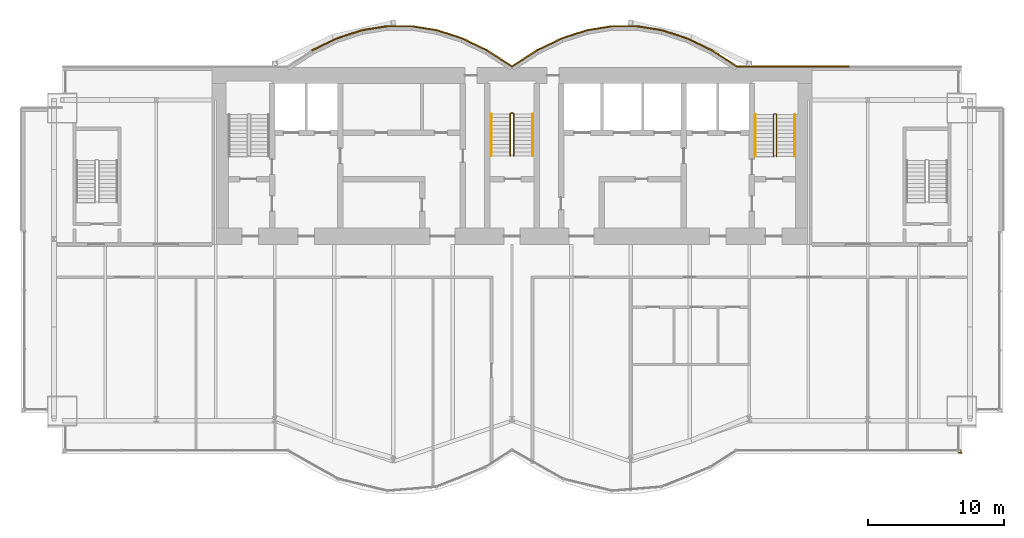
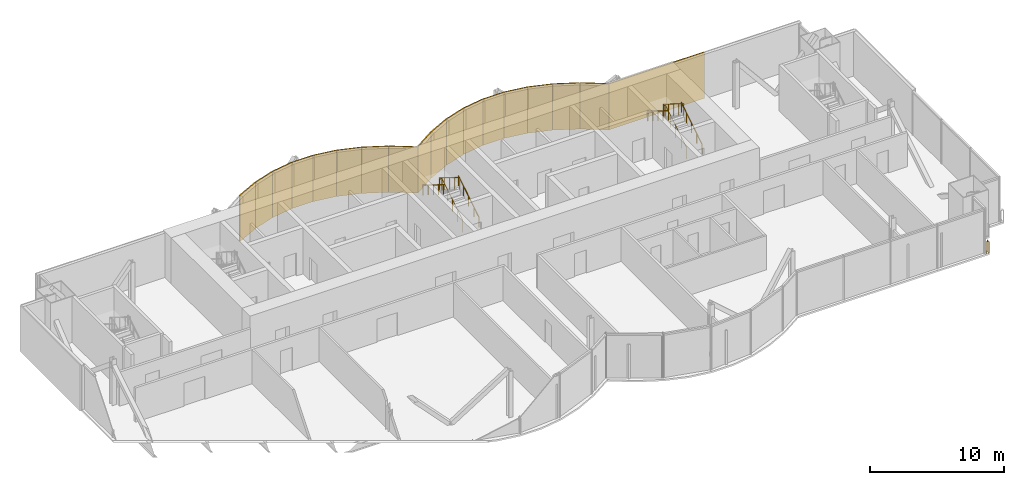
# One storey, part 18 of 19: 18 coverings, 7 railings.
"""IFC4 building model written with IfcOpenShell, lengths in metres."""

from ifc_helpers import new_model, si_unit, direction, frame, origin, origin_2d, place, context, subcontext, project, spatial, rectangle, circle, extrude, material, layer, layer_set, type_object, element, save


model = new_model("IFC4")

# Units and contexts
model_context = context("Model", 3, precision=1e-05, world=origin(), true_north=direction((0.0, 1.0)))
body_context = subcontext(model_context, "Body", "Model", "MODEL_VIEW")
ifc_project = project(units=[si_unit("LENGTHUNIT", "METRE"), si_unit("AREAUNIT", "SQUARE_METRE"), si_unit("VOLUMEUNIT", "CUBIC_METRE"), si_unit("PLANEANGLEUNIT", "RADIAN"), si_unit("MASSUNIT", "GRAM", prefix="KILO")], contexts=[model_context])

# Site, building, storey
site_placement = place(None, origin())
site = spatial("IfcSite", under=ifc_project, at=site_placement, CompositionType="ELEMENT")
building_placement = place(site_placement, origin())
building = spatial("IfcBuilding", under=site, at=building_placement, Name="Bicima Exchange Tower", CompositionType="ELEMENT")
storey_placement = place(building_placement, frame((0.0, 0.0, 275.0)))
storey = spatial("IfcBuildingStorey", under=building, at=storey_placement, Name="L62", CompositionType="ELEMENT", Elevation=275.0)

# Coverings
ifc_material_1 = material(Name="Bronze metal cladding")
ifc_layer_1 = layer(ifc_material_1, 0.004)
ifc_material_2 = material(Name="Ventilated cavity")
ifc_layer_2 = layer(ifc_material_2, 0.06)
ifc_material_3 = material(Name="Galvanised steel rail and mineral wool", Category="steel")
ifc_layer_3 = layer(ifc_material_3, 0.036)
ifc_layer_set = layer_set([ifc_layer_1, ifc_layer_2, ifc_layer_3], Name="Ventilated cavity")
covering_type = type_object("IfcCoveringType", Name="Bronze metal cladding panel 100", PredefinedType="CLADDING", material=ifc_layer_set)
covering_1_placement = place(storey_placement, frame((20.625, 0.050048828125, -0.14990234375), z_axis=(0.0, 0.0, 1.0), x_axis=(-1.0, 0.0, 0.0)))
element("IfcCovering", 1, at=covering_1_placement, inside=storey, type_object=covering_type, Name="Bronze cladding L62 1.2", PredefinedType="CLADDING", context=body_context, shape_type="SweptSolid", body=[
    extrude(rectangle(XDim=8.25, YDim=0.10009765625, at=origin_2d()), origin(), (0.0, 0.0, 1.0), 4.199951171875),
])
covering_2_placement = place(storey_placement, frame((15.610595703125, 0.634521484375, -0.14990234375), z_axis=(0.0, 0.0, 1.0), x_axis=(-0.839790466384, 0.542910648791, 0.0)))
element("IfcCovering", 2, at=covering_2_placement, inside=storey, type_object=covering_type, Name="Bronze cladding L62 2.1", PredefinedType="CLADDING", context=body_context, shape_type="SweptSolid", body=[
    extrude(rectangle(XDim=2.18310546875, YDim=0.10009765625, at=origin_2d()), origin(), (0.0, 0.0, 1.0), 4.199951171875),
])
covering_3_placement = place(storey_placement, frame((13.771728515625, 1.674560546875, -0.14990234375), z_axis=(0.0, 0.0, 1.0), x_axis=(-0.899818346812, 0.436264762204, 0.0)))
element("IfcCovering", 3, at=covering_3_placement, inside=storey, type_object=covering_type, Name="Bronze cladding L62 3.1", PredefinedType="CLADDING", context=body_context, shape_type="SweptSolid", body=[
    extrude(rectangle(XDim=2.03759765625, YDim=0.10009765625, at=origin_2d()), origin(), (0.0, 0.0, 1.0), 4.199951171875),
])
covering_4_placement = place(storey_placement, frame((11.931884765625, 2.41796875, -0.14990234375), z_axis=(0.0, 0.0, 1.0), x_axis=(-0.951524642381, 0.307572519808, 0.0)))
element("IfcCovering", 4, at=covering_4_placement, inside=storey, type_object=covering_type, Name="Bronze cladding L62 4.1", PredefinedType="CLADDING", context=body_context, shape_type="SweptSolid", body=[
    extrude(rectangle(XDim=1.9267578125, YDim=0.10009765625, at=origin_2d()), origin(), (0.0, 0.0, 1.0), 4.199951171875),
])
covering_5_placement = place(storey_placement, frame((10.09130859375, 2.8642578125, -0.14990234375), z_axis=(0.0, 0.0, 1.0), x_axis=(-0.987189786347, 0.159550386184, 0.0)))
element("IfcCovering", 5, at=covering_5_placement, inside=storey, type_object=covering_type, Name="Bronze cladding L62 5.1", PredefinedType="CLADDING", context=body_context, shape_type="SweptSolid", body=[
    extrude(rectangle(XDim=1.857177734375, YDim=0.10009765625, at=origin_2d()), origin(), (0.0, 0.0, 1.0), 4.199951171875),
])
covering_6_placement = place(storey_placement, frame((8.25, 3.012939453125, -0.14990234375), z_axis=(0.0, 0.0, 1.0), x_axis=(-1.0, 0.0, 0.0)))
element("IfcCovering", 6, at=covering_6_placement, inside=storey, type_object=covering_type, Name="Bronze cladding L62 6.1", PredefinedType="CLADDING", context=body_context, shape_type="SweptSolid", body=[
    extrude(rectangle(XDim=1.83349609375, YDim=0.10009765625, at=origin_2d()), origin(), (0.0, 0.0, 1.0), 4.199951171875),
])
covering_7_placement = place(storey_placement, frame((6.40869140625, 2.8642578125, -0.14990234375), z_axis=(0.0, 0.0, 1.0), x_axis=(-0.987189786347, -0.159550386184, 0.0)))
element("IfcCovering", 7, at=covering_7_placement, inside=storey, type_object=covering_type, Name="Bronze cladding L62 7.1", PredefinedType="CLADDING", context=body_context, shape_type="SweptSolid", body=[
    extrude(rectangle(XDim=1.857177734375, YDim=0.10009765625, at=origin_2d()), origin(), (0.0, 0.0, 1.0), 4.199951171875),
])
covering_8_placement = place(storey_placement, frame((4.568115234375, 2.41796875, -0.14990234375), z_axis=(0.0, 0.0, 1.0), x_axis=(-0.951524642381, -0.307572519808, 0.0)))
element("IfcCovering", 8, at=covering_8_placement, inside=storey, type_object=covering_type, Name="Bronze cladding L62 8.1", PredefinedType="CLADDING", context=body_context, shape_type="SweptSolid", body=[
    extrude(rectangle(XDim=1.9267578125, YDim=0.10009765625, at=origin_2d()), origin(), (0.0, 0.0, 1.0), 4.199951171875),
])
covering_9_placement = place(storey_placement, frame((2.728271484375, 1.674560546875, -0.14990234375), z_axis=(0.0, 0.0, 1.0), x_axis=(-0.899818346812, -0.436264762204, 0.0)))
element("IfcCovering", 9, at=covering_9_placement, inside=storey, type_object=covering_type, Name="Bronze cladding L62 9.1", PredefinedType="CLADDING", context=body_context, shape_type="SweptSolid", body=[
    extrude(rectangle(XDim=2.03759765625, YDim=0.10009765625, at=origin_2d()), origin(), (0.0, 0.0, 1.0), 4.199951171875),
])
for number, where, z_axis, x_axis, name in (
    (10, (0.889404296875, 0.634521484375, -0.14990234375), (0.0, 0.0, 1.0), (-0.839790466384, -0.542910648791, 0.0), "Bronze cladding L62 10.1"),
    (11, (-0.889404296875, 0.634521484375, -0.14990234375), (0.0, 0.0, 1.0), (-0.839790466384, 0.542910648791, 0.0), "Bronze cladding L62 11.1"),
):
    element("IfcCovering", number, at=place(storey_placement, frame(where, z_axis=z_axis, x_axis=x_axis)), inside=storey, type_object=covering_type, Name=name, PredefinedType="CLADDING", context=body_context, shape_type="SweptSolid", body=[
        extrude(rectangle(XDim=2.18310546875, YDim=0.10009765625, at=origin_2d()), origin(), (0.0, 0.0, 1.0), 4.199951171875),
    ])
covering_10_placement = place(storey_placement, frame((-2.728271484375, 1.674560546875, -0.14990234375), z_axis=(0.0, 0.0, 1.0), x_axis=(-0.899818346812, 0.436264762204, 0.0)))
element("IfcCovering", 12, at=covering_10_placement, inside=storey, type_object=covering_type, Name="Bronze cladding L62 12.1", PredefinedType="CLADDING", context=body_context, shape_type="SweptSolid", body=[
    extrude(rectangle(XDim=2.03759765625, YDim=0.10009765625, at=origin_2d()), origin(), (0.0, 0.0, 1.0), 4.199951171875),
])
covering_11_placement = place(storey_placement, frame((-4.568115234375, 2.41796875, -0.14990234375), z_axis=(0.0, 0.0, 1.0), x_axis=(-0.951524642381, 0.307572519808, 0.0)))
element("IfcCovering", 13, at=covering_11_placement, inside=storey, type_object=covering_type, Name="Bronze cladding L62 13.1", PredefinedType="CLADDING", context=body_context, shape_type="SweptSolid", body=[
    extrude(rectangle(XDim=1.9267578125, YDim=0.10009765625, at=origin_2d()), origin(), (0.0, 0.0, 1.0), 4.199951171875),
])
covering_12_placement = place(storey_placement, frame((-6.40869140625, 2.8642578125, -0.14990234375), z_axis=(0.0, 0.0, 1.0), x_axis=(-0.987189786347, 0.159550386184, 0.0)))
element("IfcCovering", 14, at=covering_12_placement, inside=storey, type_object=covering_type, Name="Bronze cladding L62 14.1", PredefinedType="CLADDING", context=body_context, shape_type="SweptSolid", body=[
    extrude(rectangle(XDim=1.857177734375, YDim=0.10009765625, at=origin_2d()), origin(), (0.0, 0.0, 1.0), 4.199951171875),
])
covering_13_placement = place(storey_placement, frame((-8.25, 3.012939453125, -0.14990234375), z_axis=(0.0, 0.0, 1.0), x_axis=(-1.0, 0.0, 0.0)))
element("IfcCovering", 15, at=covering_13_placement, inside=storey, type_object=covering_type, Name="Bronze cladding L62 15.1", PredefinedType="CLADDING", context=body_context, shape_type="SweptSolid", body=[
    extrude(rectangle(XDim=1.83349609375, YDim=0.10009765625, at=origin_2d()), origin(), (0.0, 0.0, 1.0), 4.199951171875),
])
covering_14_placement = place(storey_placement, frame((-10.09130859375, 2.8642578125, -0.14990234375), z_axis=(0.0, 0.0, 1.0), x_axis=(-0.987189786347, -0.159550386184, 0.0)))
element("IfcCovering", 16, at=covering_14_placement, inside=storey, type_object=covering_type, Name="Bronze cladding L62 16.1", PredefinedType="CLADDING", context=body_context, shape_type="SweptSolid", body=[
    extrude(rectangle(XDim=1.857177734375, YDim=0.10009765625, at=origin_2d()), origin(), (0.0, 0.0, 1.0), 4.199951171875),
])
covering_15_placement = place(storey_placement, frame((-11.931884765625, 2.41796875, -0.14990234375), z_axis=(0.0, 0.0, 1.0), x_axis=(-0.951524642381, -0.307572519808, 0.0)))
element("IfcCovering", 17, at=covering_15_placement, inside=storey, type_object=covering_type, Name="Bronze cladding L62 17.1", PredefinedType="CLADDING", context=body_context, shape_type="SweptSolid", body=[
    extrude(rectangle(XDim=1.9267578125, YDim=0.10009765625, at=origin_2d()), origin(), (0.0, 0.0, 1.0), 4.199951171875),
])
covering_16_placement = place(storey_placement, frame((-13.771728515625, 1.674560546875, -0.14990234375), z_axis=(0.0, 0.0, 1.0), x_axis=(-0.899818346812, -0.436264762204, 0.0)))
element("IfcCovering", 18, at=covering_16_placement, inside=storey, type_object=covering_type, Name="Bronze cladding L62 18.1", PredefinedType="CLADDING", context=body_context, shape_type="SweptSolid", body=[
    extrude(rectangle(XDim=2.03759765625, YDim=0.10009765625, at=origin_2d()), origin(), (0.0, 0.0, 1.0), 4.199951171875),
])

# Railings
ifc_material_4 = material(Name="Stainless steel and bonded safety glass", Category="steel")
railing_type_1 = type_object("IfcRailingType", Name="Edge guard 1100", PredefinedType="GUARDRAIL", material=ifc_material_4)
railing_1_placement = place(storey_placement, frame((32.949951171875, -28.097900390625, 0.0)))
element("IfcRailing", 19, at=railing_1_placement, inside=storey, type_object=railing_type_1, Name="Edge guard L62 322", PredefinedType="GUARDRAIL", context=body_context, shape_type="SweptSolid", body=[
    extrude(circle(Radius=0.02392578125, at=origin_2d()), frame((0.0, 0.0, 1.076171875), z_axis=(0.0, -1.0, 0.0), x_axis=(1.0, 0.0, 0.0)), (0.0, 0.0, 1.0), 0.238037109375),
    extrude(circle(Radius=0.02392578125, at=origin_2d()), frame((0.0, -0.238037109375, 1.076171875), z_axis=(0.707106781187, 0.707106781187, 0.0), x_axis=(-0.707106781187, 0.707106781187, 0.0)), (0.0, 0.0, 1.0), 0.07080078125),
    extrude(circle(Radius=0.02392578125, at=origin_2d()), frame((0.050048828125, -0.18798828125, 1.076171875), z_axis=(-1.0, 0.0, 0.0), x_axis=(0.0, -1.0, 0.0)), (0.0, 0.0, 1.0), 0.25),
    extrude(circle(Radius=0.02099609375, at=origin_2d()), origin(), (0.0, 0.0, 1.0), 1.052001953125),
    extrude(circle(Radius=0.02099609375, at=origin_2d()), frame((0.0, -0.238037109375, 0.0)), (0.0, 0.0, 1.0), 1.052001953125),
    extrude(circle(Radius=0.02099609375, at=origin_2d()), frame((0.050048828125, -0.18798828125, 0.0)), (0.0, 0.0, 1.0), 1.052001953125),
    extrude(circle(Radius=0.02099609375, at=origin_2d()), frame((-0.199951171875, -0.18798828125, 0.0)), (0.0, 0.0, 1.0), 1.052001953125),
])
ifc_material_5 = material(Name="Stainless steel", Category="steel")
railing_type_2 = type_object("IfcRailingType", Name="Stair guard 1100", PredefinedType="GUARDRAIL", material=ifc_material_5)
railing_2_placement = place(storey_placement, frame((0.125, -6.5, 0.175048828125)))
element("IfcRailing", 20, at=railing_2_placement, inside=storey, type_object=railing_type_2, Name="L62 ST-C stair guard 1", PredefinedType="GUARDRAIL", context=body_context, shape_type="SweptSolid", body=[
    extrude(circle(Radius=0.02392578125, at=origin_2d()), frame((0.0, 0.0, 1.076171875), z_axis=(0.0, 0.847998304005, 0.529998940003), x_axis=(-1.0, 0.0, 0.0)), (0.0, 0.0, 1.0), 3.632080078125),
    extrude(circle(Radius=0.02392578125, at=origin_2d()), frame((0.0, 3.080078125, 3.0009765625), z_axis=(-0.708833529934, 0.705375805398, 0.0), x_axis=(-0.705375805398, -0.708833529934, 0.0)), (0.0, 0.0, 1.0), 0.070556640625),
    extrude(circle(Radius=0.02392578125, at=origin_2d()), frame((-0.050048828125, 3.1298828125, 3.0009765625), z_axis=(-1.0, 0.0, 0.0), x_axis=(0.0, -1.0, 0.0)), (0.0, 0.0, 1.0), 0.14990234375),
    extrude(circle(Radius=0.02392578125, at=origin_2d()), frame((-0.199951171875, 3.1298828125, 3.0009765625), z_axis=(-0.265474339444, -0.264179342666, 0.927217692888), x_axis=(0.705375805398, -0.708833529934, 0.0)), (0.0, 0.0, 1.0), 0.1884765625),
    extrude(circle(Radius=0.02392578125, at=origin_2d()), frame((-0.25, 3.080078125, 3.17578125), z_axis=(0.0, -0.847998304005, 0.529998940003), x_axis=(1.0, 0.0, 0.0)), (0.0, 0.0, 1.0), 3.632080078125),
    extrude(circle(Radius=0.02099609375, at=origin_2d()), origin(), (0.0, 0.0, 1.0), 1.052001953125),
    extrude(circle(Radius=0.02099609375, at=origin_2d()), frame((0.0, 0.77001953125, 0.481201171875)), (0.0, 0.0, 1.0), 1.052001953125),
    extrude(circle(Radius=0.02099609375, at=origin_2d()), frame((0.0, 1.5400390625, 0.96240234375)), (0.0, 0.0, 1.0), 1.052001953125),
    extrude(circle(Radius=0.02099609375, at=origin_2d()), frame((0.0, 2.31005859375, 1.44384765625)), (0.0, 0.0, 1.0), 1.052001953125),
    extrude(circle(Radius=0.02099609375, at=origin_2d()), frame((0.0, 3.080078125, 1.925048828125)), (0.0, 0.0, 1.0), 1.052001953125),
    extrude(circle(Radius=0.02099609375, at=origin_2d()), frame((-0.050048828125, 3.1298828125, 1.925048828125)), (0.0, 0.0, 1.0), 1.052001953125),
    extrude(circle(Radius=0.02099609375, at=origin_2d()), frame((-0.199951171875, 3.1298828125, 1.925048828125)), (0.0, 0.0, 1.0), 1.052001953125),
    extrude(circle(Radius=0.02099609375, at=origin_2d()), frame((-0.25, 3.080078125, 2.099853515625)), (0.0, 0.0, 1.0), 1.052001953125),
    extrude(circle(Radius=0.02099609375, at=origin_2d()), frame((-0.25, 2.31005859375, 2.5810546875)), (0.0, 0.0, 1.0), 1.052001953125),
    extrude(circle(Radius=0.02099609375, at=origin_2d()), frame((-0.25, 1.5400390625, 3.0625)), (0.0, 0.0, 1.0), 1.052001953125),
    extrude(circle(Radius=0.02099609375, at=origin_2d()), frame((-0.25, 0.77001953125, 3.543701171875)), (0.0, 0.0, 1.0), 1.052001953125),
    extrude(circle(Radius=0.02099609375, at=origin_2d()), frame((-0.25, 0.0, 4.02490234375)), (0.0, 0.0, 1.0), 1.052001953125),
])
railing_3_placement = place(storey_placement, frame((19.39990234375, -6.550048828125, 0.175048828125)))
element("IfcRailing", 21, at=railing_3_placement, inside=storey, type_object=railing_type_2, Name="L62 ST-E stair guard 1", PredefinedType="GUARDRAIL", context=body_context, shape_type="SweptSolid", body=[
    extrude(circle(Radius=0.02392578125, at=origin_2d()), frame((0.0, 0.0, 1.076171875), z_axis=(0.0, 0.847998304005, 0.529998940003), x_axis=(-1.0, 0.0, 0.0)), (0.0, 0.0, 1.0), 3.632080078125),
    extrude(circle(Radius=0.02392578125, at=origin_2d()), frame((0.0, 3.080078125, 3.0009765625), z_axis=(-0.705375805398, 0.708833529934, 0.0), x_axis=(-0.708833529934, -0.705375805398, 0.0)), (0.0, 0.0, 1.0), 0.070556640625),
    extrude(circle(Radius=0.02392578125, at=origin_2d()), frame((-0.0498046875, 3.130126953125, 3.0009765625), z_axis=(-1.0, 0.0, 0.0), x_axis=(0.0, -1.0, 0.0)), (0.0, 0.0, 1.0), 0.10009765625),
    extrude(circle(Radius=0.02392578125, at=origin_2d()), frame((-0.14990234375, 3.130126953125, 3.0009765625), z_axis=(-0.265383341853, -0.265383341853, 0.926899867156), x_axis=(0.707106781187, -0.707106781187, 0.0)), (0.0, 0.0, 1.0), 0.1884765625),
    extrude(circle(Radius=0.02392578125, at=origin_2d()), frame((-0.199951171875, 3.080078125, 3.17578125), z_axis=(0.0, -0.847998304005, 0.529998940003), x_axis=(1.0, 0.0, 0.0)), (0.0, 0.0, 1.0), 3.632080078125),
    extrude(circle(Radius=0.02099609375, at=origin_2d()), origin(), (0.0, 0.0, 1.0), 1.052001953125),
    extrude(circle(Radius=0.02099609375, at=origin_2d()), frame((0.0, 0.77001953125, 0.481201171875)), (0.0, 0.0, 1.0), 1.052001953125),
    extrude(circle(Radius=0.02099609375, at=origin_2d()), frame((0.0, 1.5400390625, 0.96240234375)), (0.0, 0.0, 1.0), 1.052001953125),
    extrude(circle(Radius=0.02099609375, at=origin_2d()), frame((0.0, 2.31005859375, 1.44384765625)), (0.0, 0.0, 1.0), 1.052001953125),
    extrude(circle(Radius=0.02099609375, at=origin_2d()), frame((0.0, 3.080078125, 1.925048828125)), (0.0, 0.0, 1.0), 1.052001953125),
    extrude(circle(Radius=0.02099609375, at=origin_2d()), frame((-0.0498046875, 3.130126953125, 1.925048828125)), (0.0, 0.0, 1.0), 1.052001953125),
    extrude(circle(Radius=0.02099609375, at=origin_2d()), frame((-0.14990234375, 3.130126953125, 1.925048828125)), (0.0, 0.0, 1.0), 1.052001953125),
    extrude(circle(Radius=0.02099609375, at=origin_2d()), frame((-0.199951171875, 3.080078125, 2.099853515625)), (0.0, 0.0, 1.0), 1.052001953125),
    extrude(circle(Radius=0.02099609375, at=origin_2d()), frame((-0.199951171875, 2.31005859375, 2.5810546875)), (0.0, 0.0, 1.0), 1.052001953125),
    extrude(circle(Radius=0.02099609375, at=origin_2d()), frame((-0.199951171875, 1.5400390625, 3.0625)), (0.0, 0.0, 1.0), 1.052001953125),
    extrude(circle(Radius=0.02099609375, at=origin_2d()), frame((-0.199951171875, 0.77001953125, 3.543701171875)), (0.0, 0.0, 1.0), 1.052001953125),
    extrude(circle(Radius=0.02099609375, at=origin_2d()), frame((-0.199951171875, 0.0, 4.02490234375)), (0.0, 0.0, 1.0), 1.052001953125),
])
railing_type_3 = type_object("IfcRailingType", Name="Stair handrail 900", PredefinedType="HANDRAIL", material=ifc_material_5)
railing_4_placement = place(storey_placement, frame((1.52490234375, -6.5, 0.175048828125)))
element("IfcRailing", 22, at=railing_4_placement, inside=storey, type_object=railing_type_3, Name="L62 ST-C stair handrail 1", PredefinedType="HANDRAIL", context=body_context, shape_type="SweptSolid", body=[
    extrude(circle(Radius=0.02392578125, at=origin_2d()), frame((0.0, 0.0, 0.8759765625), z_axis=(0.0, 0.847998304005, 0.529998940003), x_axis=(-1.0, 0.0, 0.0)), (0.0, 0.0, 1.0), 3.632080078125),
    extrude(circle(Radius=0.02099609375, at=origin_2d()), origin(), (0.0, 0.0, 1.0), 0.851806640625),
    extrude(circle(Radius=0.02099609375, at=origin_2d()), frame((0.0, 0.77001953125, 0.481201171875)), (0.0, 0.0, 1.0), 0.851806640625),
    extrude(circle(Radius=0.02099609375, at=origin_2d()), frame((0.0, 1.5400390625, 0.96240234375)), (0.0, 0.0, 1.0), 0.851806640625),
    extrude(circle(Radius=0.02099609375, at=origin_2d()), frame((0.0, 2.31005859375, 1.44384765625)), (0.0, 0.0, 1.0), 0.851806640625),
    extrude(circle(Radius=0.02099609375, at=origin_2d()), frame((0.0, 3.080078125, 1.925048828125)), (0.0, 0.0, 1.0), 0.851806640625),
])
railing_5_placement = place(storey_placement, frame((-1.52490234375, -3.419921875, 2.303955078125)))
element("IfcRailing", 23, at=railing_5_placement, inside=storey, type_object=railing_type_3, Name="L62 ST-C stair handrail 2", PredefinedType="HANDRAIL", context=body_context, shape_type="SweptSolid", body=[
    extrude(circle(Radius=0.02392578125, at=origin_2d()), frame((0.0, 0.0, 0.8759765625), z_axis=(0.0, -0.847998304005, 0.529998940003), x_axis=(1.0, 0.0, 0.0)), (0.0, 0.0, 1.0), 3.632080078125),
    extrude(circle(Radius=0.02099609375, at=origin_2d()), origin(), (0.0, 0.0, 1.0), 0.851806640625),
    extrude(circle(Radius=0.02099609375, at=origin_2d()), frame((0.0, -0.77001953125, 0.481201171875)), (0.0, 0.0, 1.0), 0.851806640625),
    extrude(circle(Radius=0.02099609375, at=origin_2d()), frame((0.0, -1.5400390625, 0.96240234375)), (0.0, 0.0, 1.0), 0.851806640625),
    extrude(circle(Radius=0.02099609375, at=origin_2d()), frame((0.0, -2.31005859375, 1.44384765625)), (0.0, 0.0, 1.0), 0.851806640625),
    extrude(circle(Radius=0.02099609375, at=origin_2d()), frame((0.0, -3.080078125, 1.925048828125)), (0.0, 0.0, 1.0), 0.851806640625),
])
railing_6_placement = place(storey_placement, frame((20.75, -6.550048828125, 0.175048828125)))
element("IfcRailing", 24, at=railing_6_placement, inside=storey, type_object=railing_type_3, Name="L62 ST-E stair handrail 1", PredefinedType="HANDRAIL", context=body_context, shape_type="SweptSolid", body=[
    extrude(circle(Radius=0.02392578125, at=origin_2d()), frame((0.0, 0.0, 0.8759765625), z_axis=(0.0, 0.847998304005, 0.529998940003), x_axis=(-1.0, 0.0, 0.0)), (0.0, 0.0, 1.0), 3.632080078125),
    extrude(circle(Radius=0.02099609375, at=origin_2d()), origin(), (0.0, 0.0, 1.0), 0.851806640625),
    extrude(circle(Radius=0.02099609375, at=origin_2d()), frame((0.0, 0.77001953125, 0.481201171875)), (0.0, 0.0, 1.0), 0.851806640625),
    extrude(circle(Radius=0.02099609375, at=origin_2d()), frame((0.0, 1.5400390625, 0.96240234375)), (0.0, 0.0, 1.0), 0.851806640625),
    extrude(circle(Radius=0.02099609375, at=origin_2d()), frame((0.0, 2.31005859375, 1.44384765625)), (0.0, 0.0, 1.0), 0.851806640625),
    extrude(circle(Radius=0.02099609375, at=origin_2d()), frame((0.0, 3.080078125, 1.925048828125)), (0.0, 0.0, 1.0), 0.851806640625),
])
railing_7_placement = place(storey_placement, frame((17.85009765625, -3.469970703125, 2.303955078125)))
element("IfcRailing", 25, at=railing_7_placement, inside=storey, type_object=railing_type_3, Name="L62 ST-E stair handrail 2", PredefinedType="HANDRAIL", context=body_context, shape_type="SweptSolid", body=[
    extrude(circle(Radius=0.02392578125, at=origin_2d()), frame((0.0, 0.0, 0.8759765625), z_axis=(0.0, -0.847998304005, 0.529998940003), x_axis=(1.0, 0.0, 0.0)), (0.0, 0.0, 1.0), 3.632080078125),
    extrude(circle(Radius=0.02099609375, at=origin_2d()), origin(), (0.0, 0.0, 1.0), 0.851806640625),
    extrude(circle(Radius=0.02099609375, at=origin_2d()), frame((0.0, -0.77001953125, 0.481201171875)), (0.0, 0.0, 1.0), 0.851806640625),
    extrude(circle(Radius=0.02099609375, at=origin_2d()), frame((0.0, -1.5400390625, 0.96240234375)), (0.0, 0.0, 1.0), 0.851806640625),
    extrude(circle(Radius=0.02099609375, at=origin_2d()), frame((0.0, -2.31005859375, 1.44384765625)), (0.0, 0.0, 1.0), 0.851806640625),
    extrude(circle(Radius=0.02099609375, at=origin_2d()), frame((0.0, -3.080078125, 1.925048828125)), (0.0, 0.0, 1.0), 0.851806640625),
])

save(model, "model.ifc")
